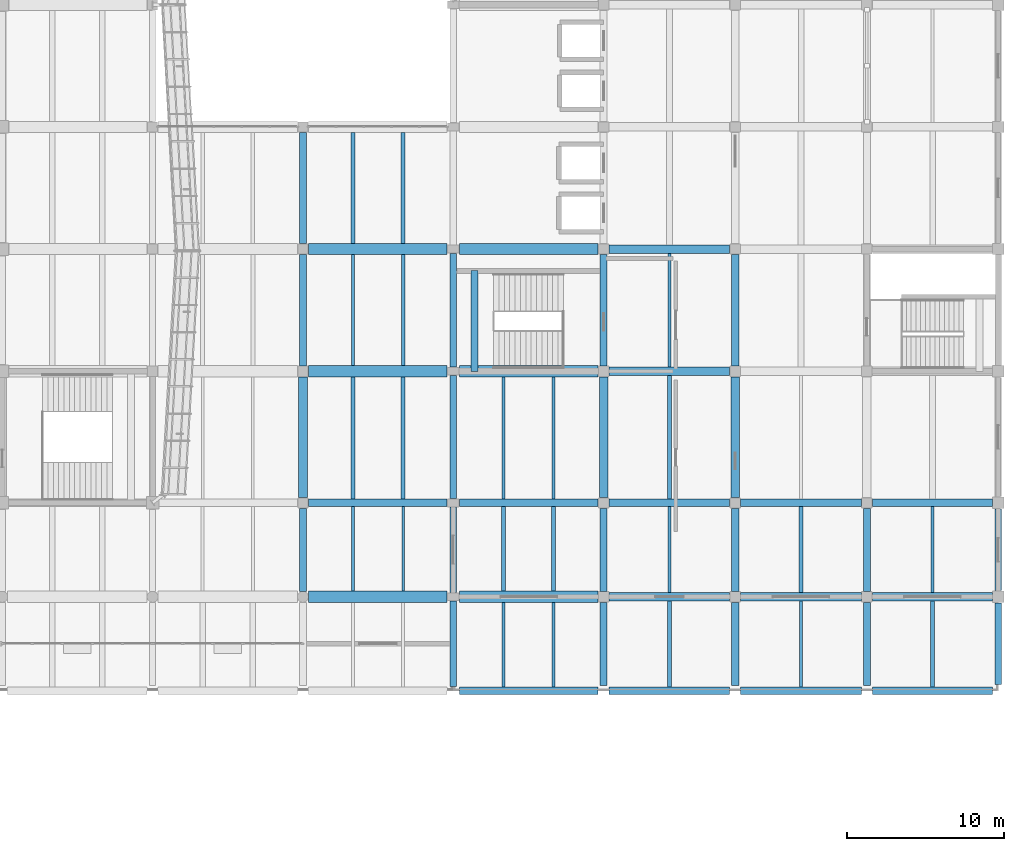
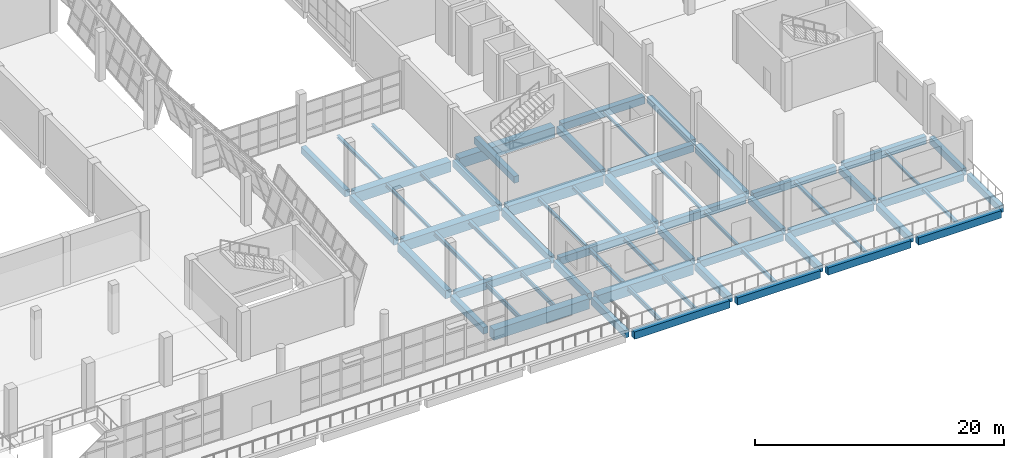
# One storey, part 34 of 79: 63 beams.
"""IFC4 building model written with IfcOpenShell, lengths in metres."""

from ifc_helpers import new_model, si_unit, direction, frame, origin, origin_2d, place, context, subcontext, project, spatial, rectangle, i_section, extrude, material, material_profile, profile_set, type_object, element, save


model = new_model("IFC4")

# Units and contexts
model_context = context("Model", 3, precision=1e-05, world=origin(), true_north=direction((0.0, 1.0)))
body_context = subcontext(model_context, "Body", "Model", "MODEL_VIEW")
ifc_project = project(units=[si_unit("LENGTHUNIT", "METRE"), si_unit("AREAUNIT", "SQUARE_METRE"), si_unit("VOLUMEUNIT", "CUBIC_METRE"), si_unit("PLANEANGLEUNIT", "RADIAN"), si_unit("MASSUNIT", "GRAM", prefix="KILO")], contexts=[model_context])

# Site, building, storey
site_placement = place(None, origin())
site = spatial("IfcSite", under=ifc_project, at=site_placement, CompositionType="ELEMENT")
building_placement = place(site_placement, origin())
building = spatial("IfcBuilding", under=site, at=building_placement, Name="Pellamere Symphony Hall", CompositionType="ELEMENT")
storey_placement = place(building_placement, frame((0.0, 0.0, 10.199951171875)))
storey = spatial("IfcBuildingStorey", under=building, at=storey_placement, Name="L02", CompositionType="ELEMENT", Elevation=10.199951171875)

# Beams
ifc_material_1 = material(Name="Concrete 40 MPa", Category="concrete")
ifc_material_profile_1 = material_profile(ifc_material_1, rectangle(XDim=0.550048828125, YDim=0.800048828125, at=origin_2d()), Name="RC 550x800")
ifc_profile_set_1 = profile_set([ifc_material_profile_1], Name="Concrete 40 MPa")
beam_type_1 = type_object("IfcBeamType", Name="RC CB-05 550x800", PredefinedType="BEAM", material=ifc_profile_set_1)
for number, where, z_axis, x_axis, name in (
    (1, (128.39990234375, 30.35009765625, -0.679931640625), (0.0, 1.0, 0.0), (-1.0, 0.0, 0.0), "Girder CB-05-Y1340 (L02)"),
    (2, (147.60009765625, 30.35009765625, -0.679931640625), (0.0, 1.0, 0.0), (-1.0, 0.0, 0.0), "Girder CB-05-Y1356 (L02)"),
    (3, (156.0, 30.35009765625, -0.679931640625), (0.0, 1.0, 0.0), (-1.0, 0.0, 0.0), "Girder CB-05-Y1367 (L02)"),
):
    element("IfcBeam", number, at=place(storey_placement, frame(where, z_axis=z_axis, x_axis=x_axis)), inside=storey, type_object=beam_type_1, Name=name, PredefinedType="BEAM", context=body_context, shape_type="SweptSolid", body=[
        extrude(rectangle(XDim=0.550048828125, YDim=0.800048828125, at=origin_2d()), origin(), (0.0, 0.0, 1.0), 7.699951171875),
    ])
ifc_material_profile_2 = material_profile(ifc_material_1, rectangle(XDim=0.449951171875, YDim=0.64990234375, at=origin_2d()), Name="RC 450x650")
ifc_profile_set_2 = profile_set([ifc_material_profile_2], Name="Concrete 40 MPa")
beam_type_2 = type_object("IfcBeamType", Name="RC CB-08 450x650", PredefinedType="BEAM", material=ifc_profile_set_2)
beam_1_placement = place(storey_placement, frame((128.39990234375, 24.35009765625, -0.60498046875), z_axis=(0.0, 1.0, 0.0), x_axis=(-1.0, 0.0, 0.0)))
element("IfcBeam", 4, at=beam_1_placement, inside=storey, type_object=beam_type_2, Name="Girder CB-08-Y1339 (L02)", PredefinedType="BEAM", context=body_context, shape_type="SweptSolid", body=[
    extrude(rectangle(XDim=0.449951171875, YDim=0.64990234375, at=origin_2d()), origin(), (0.0, 0.0, 1.0), 5.2998046875),
])
beam_2_placement = place(storey_placement, frame((128.39990234375, 38.75, -0.60498046875), z_axis=(0.0, 1.0, 0.0), x_axis=(-1.0, 0.0, 0.0)))
element("IfcBeam", 5, at=beam_2_placement, inside=storey, type_object=beam_type_2, Name="Girder CB-08-Y1341 (L02)", PredefinedType="BEAM", context=body_context, shape_type="SweptSolid", body=[
    extrude(rectangle(XDim=0.449951171875, YDim=0.64990234375, at=origin_2d()), origin(), (0.0, 0.0, 1.0), 7.10009765625),
])
beam_3_placement = place(storey_placement, frame((128.39990234375, 46.550048828125, -0.60498046875), z_axis=(0.0, 1.0, 0.0), x_axis=(-1.0, 0.0, 0.0)))
element("IfcBeam", 6, at=beam_3_placement, inside=storey, type_object=beam_type_2, Name="Girder CB-08-Y1342 (L02)", PredefinedType="BEAM", context=body_context, shape_type="SweptSolid", body=[
    extrude(rectangle(XDim=0.449951171875, YDim=0.64990234375, at=origin_2d()), origin(), (0.0, 0.0, 1.0), 7.099853515625),
])
for number, where, z_axis, x_axis, name in (
    (7, (147.60009765625, 18.35009765625, -0.60498046875), (0.0, 1.0, 0.0), (-1.0, 0.0, 0.0), "Girder CB-08-Y1354 (L02)"),
    (8, (147.60009765625, 24.35009765625, -0.60498046875), (0.0, 1.0, 0.0), (-1.0, 0.0, 0.0), "Girder CB-08-Y1355 (L02)"),
):
    element("IfcBeam", number, at=place(storey_placement, frame(where, z_axis=z_axis, x_axis=x_axis)), inside=storey, type_object=beam_type_2, Name=name, PredefinedType="BEAM", context=body_context, shape_type="SweptSolid", body=[
        extrude(rectangle(XDim=0.449951171875, YDim=0.64990234375, at=origin_2d()), origin(), (0.0, 0.0, 1.0), 5.2998046875),
    ])
beam_4_placement = place(storey_placement, frame((147.60009765625, 38.75, -0.60498046875), z_axis=(0.0, 1.0, 0.0), x_axis=(-1.0, 0.0, 0.0)))
element("IfcBeam", 9, at=beam_4_placement, inside=storey, type_object=beam_type_2, Name="Girder CB-08-Y1357 (L02)", PredefinedType="BEAM", context=body_context, shape_type="SweptSolid", body=[
    extrude(rectangle(XDim=0.449951171875, YDim=0.64990234375, at=origin_2d()), origin(), (0.0, 0.0, 1.0), 7.10009765625),
])
for number, where, z_axis, x_axis, name in (
    (10, (156.0, 18.35009765625, -0.60498046875), (0.0, 1.0, 0.0), (-1.0, 0.0, 0.0), "Girder CB-08-Y1365 (L02)"),
    (11, (156.0, 24.35009765625, -0.60498046875), (0.0, 1.0, 0.0), (-1.0, 0.0, 0.0), "Girder CB-08-Y1366 (L02)"),
):
    element("IfcBeam", number, at=place(storey_placement, frame(where, z_axis=z_axis, x_axis=x_axis)), inside=storey, type_object=beam_type_2, Name=name, PredefinedType="BEAM", context=body_context, shape_type="SweptSolid", body=[
        extrude(rectangle(XDim=0.449951171875, YDim=0.64990234375, at=origin_2d()), origin(), (0.0, 0.0, 1.0), 5.2998046875),
    ])
beam_5_placement = place(storey_placement, frame((156.0, 38.75, -0.60498046875), z_axis=(0.0, 1.0, 0.0), x_axis=(-1.0, 0.0, 0.0)))
element("IfcBeam", 12, at=beam_5_placement, inside=storey, type_object=beam_type_2, Name="Girder CB-08-Y1368 (L02)", PredefinedType="BEAM", context=body_context, shape_type="SweptSolid", body=[
    extrude(rectangle(XDim=0.449951171875, YDim=0.64990234375, at=origin_2d()), origin(), (0.0, 0.0, 1.0), 7.10009765625),
])
for number, where, z_axis, x_axis, name in (
    (13, (164.39990234375, 18.35009765625, -0.60498046875), (0.0, 1.0, 0.0), (-1.0, 0.0, 0.0), "Girder CB-08-Y1376 (L02)"),
    (14, (164.39990234375, 24.35009765625, -0.60498046875), (0.0, 1.0, 0.0), (-1.0, 0.0, 0.0), "Girder CB-08-Y1377 (L02)"),
):
    element("IfcBeam", number, at=place(storey_placement, frame(where, z_axis=z_axis, x_axis=x_axis)), inside=storey, type_object=beam_type_2, Name=name, PredefinedType="BEAM", context=body_context, shape_type="SweptSolid", body=[
        extrude(rectangle(XDim=0.449951171875, YDim=0.64990234375, at=origin_2d()), origin(), (0.0, 0.0, 1.0), 5.2998046875),
    ])
beam_6_placement = place(storey_placement, frame((139.367431640625, 38.3798828125, 1.85498046875), z_axis=(0.0, 1.0, 0.0), x_axis=(-1.0, 0.0, 0.0)))
element("IfcBeam", 15, at=beam_6_placement, inside=storey, type_object=beam_type_2, Name="Stair ST02-L02 Half Landing Support Beam (L02)", PredefinedType="BEAM", context=body_context, shape_type="SweptSolid", body=[
    extrude(rectangle(XDim=0.449951171875, YDim=0.64990234375, at=origin_2d()), origin(), (0.0, 0.0, 1.0), 6.440185546875),
])
ifc_material_profile_3 = material_profile(ifc_material_1, rectangle(XDim=0.39990234375, YDim=0.699951171875, at=origin_2d()), Name="RC 400x700")
ifc_profile_set_3 = profile_set([ifc_material_profile_3], Name="Concrete 40 MPa")
beam_type_3 = type_object("IfcBeamType", Name="RC CB-13 400x700", PredefinedType="SPANDREL", material=ifc_profile_set_3)
for number, where, z_axis, x_axis, name in (
    (16, (138.0, 18.27490234375, -0.6298828125), (0.0, 1.0, 0.0), (-1.0, 0.0, 0.0), "Girder CB-13-Y1343 (L02)"),
    (17, (138.0, 24.27490234375, -0.6298828125), (0.0, 1.0, 0.0), (-1.0, 0.0, 0.0), "Girder CB-13-Y1344 (L02)"),
):
    element("IfcBeam", number, at=place(storey_placement, frame(where, z_axis=z_axis, x_axis=x_axis)), inside=storey, type_object=beam_type_3, Name=name, PredefinedType="SPANDREL", context=body_context, shape_type="SweptSolid", body=[
        extrude(rectangle(XDim=0.39990234375, YDim=0.699951171875, at=origin_2d()), origin(), (0.0, 0.0, 1.0), 5.4501953125),
    ])
beam_7_placement = place(storey_placement, frame((138.0, 30.27490234375, -0.6298828125), z_axis=(0.0, 1.0, 0.0), x_axis=(-1.0, 0.0, 0.0)))
element("IfcBeam", 18, at=beam_7_placement, inside=storey, type_object=beam_type_3, Name="Girder CB-13-Y1345 (L02)", PredefinedType="SPANDREL", context=body_context, shape_type="SweptSolid", body=[
    extrude(rectangle(XDim=0.39990234375, YDim=0.699951171875, at=origin_2d()), origin(), (0.0, 0.0, 1.0), 7.85009765625),
])
beam_8_placement = place(storey_placement, frame((138.0, 38.675048828125, -0.6298828125), z_axis=(0.0, 1.0, 0.0), x_axis=(-1.0, 0.0, 0.0)))
element("IfcBeam", 19, at=beam_8_placement, inside=storey, type_object=beam_type_3, Name="Girder CB-13-Y1346 (L02)", PredefinedType="SPANDREL", context=body_context, shape_type="SweptSolid", body=[
    extrude(rectangle(XDim=0.39990234375, YDim=0.699951171875, at=origin_2d()), origin(), (0.0, 0.0, 1.0), 7.25),
])
for number, where, z_axis, x_axis, name in (
    (20, (172.800048828125, 18.389892578125, -0.6298828125), (0.0, 1.0, 0.0), (-1.0, 0.0, 0.0), "Girder CB-13-Y1387 (L02)"),
    (21, (172.800048828125, 24.389892578125, -0.6298828125), (0.0, 1.0, 0.0), (-1.0, 0.0, 0.0), "Girder CB-13-Y1388 (L02)"),
):
    element("IfcBeam", number, at=place(storey_placement, frame(where, z_axis=z_axis, x_axis=x_axis)), inside=storey, type_object=beam_type_3, Name=name, PredefinedType="SPANDREL", context=body_context, shape_type="SweptSolid", body=[
        extrude(rectangle(XDim=0.39990234375, YDim=0.699951171875, at=origin_2d()), origin(), (0.0, 0.0, 1.0), 5.22021484375),
    ])
ifc_material_profile_4 = material_profile(ifc_material_1, rectangle(XDim=0.47998046875, YDim=0.719970703125, at=origin_2d()), Name="RC 480x720")
ifc_profile_set_4 = profile_set([ifc_material_profile_4], Name="Concrete 40 MPa")
beam_type_4 = type_object("IfcBeamType", Name="RC CB-14 480x720", PredefinedType="SPANDREL", material=ifc_profile_set_4)
beam_9_placement = place(storey_placement, frame((138.39990234375, 18.0, -0.639892578125), z_axis=(1.0, 0.0, 0.0), x_axis=(0.0, 1.0, 0.0)))
element("IfcBeam", 22, at=beam_9_placement, inside=storey, type_object=beam_type_4, Name="Girder CB-14-X1052 (L02)", PredefinedType="SPANDREL", context=body_context, shape_type="SweptSolid", body=[
    extrude(rectangle(XDim=0.47998046875, YDim=0.719970703125, at=origin_2d()), origin(), (0.0, 0.0, 1.0), 8.85009765625),
])
for number, where, z_axis, x_axis, name in (
    (23, (147.949951171875, 18.0, -0.639892578125), (1.0, 0.0, 0.0), (0.0, 1.0, 0.0), "Girder CB-14-X1053 (L02)"),
    (24, (156.35009765625, 18.0, -0.639892578125), (1.0, 0.0, 0.0), (0.0, 1.0, 0.0), "Girder CB-14-X1054 (L02)"),
):
    element("IfcBeam", number, at=place(storey_placement, frame(where, z_axis=z_axis, x_axis=x_axis)), inside=storey, type_object=beam_type_4, Name=name, PredefinedType="SPANDREL", context=body_context, shape_type="SweptSolid", body=[
        extrude(rectangle(XDim=0.47998046875, YDim=0.719970703125, at=origin_2d()), origin(), (0.0, 0.0, 1.0), 7.699951171875),
    ])
beam_10_placement = place(storey_placement, frame((164.75, 18.0, -0.639892578125), z_axis=(1.0, 0.0, 0.0), x_axis=(0.0, 1.0, 0.0)))
element("IfcBeam", 25, at=beam_10_placement, inside=storey, type_object=beam_type_4, Name="Girder CB-14-X1055 (L02)", PredefinedType="SPANDREL", context=body_context, shape_type="SweptSolid", body=[
    extrude(rectangle(XDim=0.47998046875, YDim=0.719970703125, at=origin_2d()), origin(), (0.0, 0.0, 1.0), 7.659912109375),
])
for number, where, z_axis, x_axis, name in (
    (26, (128.75, 30.0, -0.639892578125), (1.0, 0.0, 0.0), (0.0, 1.0, 0.0), "Girder CB-14-X1084 (L02)"),
    (27, (138.39990234375, 30.0, -0.639892578125), (1.0, 0.0, 0.0), (0.0, 1.0, 0.0), "Girder CB-14-X1085 (L02)"),
):
    element("IfcBeam", number, at=place(storey_placement, frame(where, z_axis=z_axis, x_axis=x_axis)), inside=storey, type_object=beam_type_4, Name=name, PredefinedType="SPANDREL", context=body_context, shape_type="SweptSolid", body=[
        extrude(rectangle(XDim=0.47998046875, YDim=0.719970703125, at=origin_2d()), origin(), (0.0, 0.0, 1.0), 8.85009765625),
    ])
for number, where, z_axis, x_axis, name in (
    (28, (147.949951171875, 30.0, -0.639892578125), (1.0, 0.0, 0.0), (0.0, 1.0, 0.0), "Girder CB-14-X1086 (L02)"),
    (29, (156.35009765625, 30.0, -0.639892578125), (1.0, 0.0, 0.0), (0.0, 1.0, 0.0), "Girder CB-14-X1087 (L02)"),
):
    element("IfcBeam", number, at=place(storey_placement, frame(where, z_axis=z_axis, x_axis=x_axis)), inside=storey, type_object=beam_type_4, Name=name, PredefinedType="SPANDREL", context=body_context, shape_type="SweptSolid", body=[
        extrude(rectangle(XDim=0.47998046875, YDim=0.719970703125, at=origin_2d()), origin(), (0.0, 0.0, 1.0), 7.699951171875),
    ])
beam_11_placement = place(storey_placement, frame((164.75, 30.0, -0.639892578125), z_axis=(1.0, 0.0, 0.0), x_axis=(0.0, 1.0, 0.0)))
element("IfcBeam", 30, at=beam_11_placement, inside=storey, type_object=beam_type_4, Name="Girder CB-14-X1088 (L02)", PredefinedType="SPANDREL", context=body_context, shape_type="SweptSolid", body=[
    extrude(rectangle(XDim=0.47998046875, YDim=0.719970703125, at=origin_2d()), origin(), (0.0, 0.0, 1.0), 7.659912109375),
])
ifc_material_profile_5 = material_profile(ifc_material_1, rectangle(XDim=0.719970703125, YDim=1.02001953125, at=origin_2d()), Name="RC 720x1020")
ifc_profile_set_5 = profile_set([ifc_material_profile_5], Name="Concrete 40 MPa")
beam_type_5 = type_object("IfcBeamType", Name="RC CB-23 720x1020", PredefinedType="BEAM", material=ifc_profile_set_5)
for number, where, z_axis, x_axis, name in (
    (31, (128.75, 24.0, -0.7900390625), (1.0, 0.0, 0.0), (0.0, 1.0, 0.0), "Girder CB-23-X1066 (L02)"),
    (32, (138.39990234375, 24.0, -0.7900390625), (1.0, 0.0, 0.0), (0.0, 1.0, 0.0), "Girder CB-23-X1067 (L02)"),
    (33, (128.75, 38.39990234375, -0.7900390625), (1.0, 0.0, 0.0), (0.0, 1.0, 0.0), "Girder CB-23-X1104 (L02)"),
    (34, (138.39990234375, 38.39990234375, -0.7900390625), (1.0, 0.0, 0.0), (0.0, 1.0, 0.0), "Girder CB-23-X1105 (L02)"),
    (35, (128.75, 46.199951171875, -0.7900390625), (1.0, 0.0, 0.0), (0.0, 1.0, 0.0), "Girder CB-23-X1124 (L02)"),
    (36, (138.39990234375, 46.199951171875, -0.7900390625), (1.0, 0.0, 0.0), (0.0, 1.0, 0.0), "Girder CB-23-X1125 (L02)"),
):
    element("IfcBeam", number, at=place(storey_placement, frame(where, z_axis=z_axis, x_axis=x_axis)), inside=storey, type_object=beam_type_5, Name=name, PredefinedType="BEAM", context=body_context, shape_type="SweptSolid", body=[
        extrude(rectangle(XDim=0.719970703125, YDim=1.02001953125, at=origin_2d()), origin(), (0.0, 0.0, 1.0), 8.85009765625),
    ])
ifc_material_profile_6 = material_profile(ifc_material_1, rectangle(XDim=0.5400390625, YDim=0.719970703125, at=origin_2d()), Name="RC 540x720")
ifc_profile_set_6 = profile_set([ifc_material_profile_6], Name="Concrete 40 MPa")
beam_type_6 = type_object("IfcBeamType", Name="RC CB-24 540x720", PredefinedType="BEAM", material=ifc_profile_set_6)
for number, where, z_axis, x_axis, name in (
    (37, (147.949951171875, 24.0, -0.639892578125), (1.0, 0.0, 0.0), (0.0, 1.0, 0.0), "Girder CB-24-X1068 (L02)"),
    (38, (156.35009765625, 24.0, -0.639892578125), (1.0, 0.0, 0.0), (0.0, 1.0, 0.0), "Girder CB-24-X1069 (L02)"),
):
    element("IfcBeam", number, at=place(storey_placement, frame(where, z_axis=z_axis, x_axis=x_axis)), inside=storey, type_object=beam_type_6, Name=name, PredefinedType="BEAM", context=body_context, shape_type="SweptSolid", body=[
        extrude(rectangle(XDim=0.5400390625, YDim=0.719970703125, at=origin_2d()), origin(), (0.0, 0.0, 1.0), 7.699951171875),
    ])
beam_12_placement = place(storey_placement, frame((164.75, 24.0, -0.639892578125), z_axis=(1.0, 0.0, 0.0), x_axis=(0.0, 1.0, 0.0)))
element("IfcBeam", 39, at=beam_12_placement, inside=storey, type_object=beam_type_6, Name="Girder CB-24-X1070 (L02)", PredefinedType="BEAM", context=body_context, shape_type="SweptSolid", body=[
    extrude(rectangle(XDim=0.5400390625, YDim=0.719970703125, at=origin_2d()), origin(), (0.0, 0.0, 1.0), 7.659912109375),
])
for number, where, z_axis, x_axis, name in (
    (40, (147.949951171875, 38.39990234375, -0.639892578125), (1.0, 0.0, 0.0), (0.0, 1.0, 0.0), "Girder CB-24-X1106 (L02)"),
    (41, (147.949951171875, 46.199951171875, -0.639892578125), (1.0, 0.0, 0.0), (0.0, 1.0, 0.0), "Girder CB-24-X1126 (L02)"),
):
    element("IfcBeam", number, at=place(storey_placement, frame(where, z_axis=z_axis, x_axis=x_axis)), inside=storey, type_object=beam_type_6, Name=name, PredefinedType="BEAM", context=body_context, shape_type="SweptSolid", body=[
        extrude(rectangle(XDim=0.5400390625, YDim=0.719970703125, at=origin_2d()), origin(), (0.0, 0.0, 1.0), 7.699951171875),
    ])
ifc_material_2 = material(Name="Steel CSA G40.21 350W", Category="steel")
ifc_material_profile_7 = material_profile(ifc_material_2, i_section(OverallWidth=0.179931640625, OverallDepth=0.4130859375, WebThickness=0.009765625, FlangeThickness=0.01513671875, at=origin_2d()), Name="W410X74")
ifc_profile_set_7 = profile_set([ifc_material_profile_7], Name="Steel CSA G40.21 350W")
beam_type_7 = type_object("IfcBeamType", Name="Steel Joist SB-19 W410X74", PredefinedType="JOIST", material=ifc_profile_set_7)
for number, where, z_axis, x_axis, name in (
    (42, (131.60009765625, 24.360107421875, -0.50146484375), (0.0, 1.0, 0.0), (-1.0, 0.0, 0.0), "Secondary Floor Beam SB-19-A1603 (L02)"),
    (43, (134.800048828125, 24.360107421875, -0.50146484375), (0.0, 1.0, 0.0), (-1.0, 0.0, 0.0), "Secondary Floor Beam SB-19-B1603 (L02)"),
    (44, (141.199951171875, 18.239990234375, -0.50146484375), (0.0, 1.0, 0.0), (-1.0, 0.0, 0.0), "Secondary Floor Beam SB-19-A1702 (L02)"),
    (45, (144.39990234375, 18.239990234375, -0.50146484375), (0.0, 1.0, 0.0), (-1.0, 0.0, 0.0), "Secondary Floor Beam SB-19-B1702 (L02)"),
):
    element("IfcBeam", number, at=place(storey_placement, frame(where, z_axis=z_axis, x_axis=x_axis)), inside=storey, type_object=beam_type_7, Name=name, PredefinedType="JOIST", context=body_context, shape_type="SweptSolid", body=[
        extrude(i_section(OverallWidth=0.179931640625, OverallDepth=0.4130859375, WebThickness=0.009765625, FlangeThickness=0.01513671875, at=origin_2d()), origin(), (0.0, 0.0, 1.0), 5.39990234375),
    ])
ifc_material_profile_8 = material_profile(ifc_material_2, i_section(OverallWidth=0.25390625, OverallDepth=0.35302734375, WebThickness=0.009521484375, FlangeThickness=0.016357421875, at=origin_2d()), Name="W360X91")
ifc_profile_set_8 = profile_set([ifc_material_profile_8], Name="Steel CSA G40.21 350W")
beam_type_8 = type_object("IfcBeamType", Name="Steel Joist SB-20 W360X91", PredefinedType="JOIST", material=ifc_profile_set_8)
for number, where, z_axis, x_axis, name in (
    (46, (131.60009765625, 30.239990234375, -0.471435546875), (0.0, 1.0, 0.0), (-1.0, 0.0, 0.0), "Secondary Floor Beam SB-20-A1604 (L02)"),
    (47, (134.800048828125, 30.239990234375, -0.471435546875), (0.0, 1.0, 0.0), (-1.0, 0.0, 0.0), "Secondary Floor Beam SB-20-B1604 (L02)"),
):
    element("IfcBeam", number, at=place(storey_placement, frame(where, z_axis=z_axis, x_axis=x_axis)), inside=storey, type_object=beam_type_8, Name=name, PredefinedType="JOIST", context=body_context, shape_type="SweptSolid", body=[
        extrude(i_section(OverallWidth=0.25390625, OverallDepth=0.35302734375, WebThickness=0.009521484375, FlangeThickness=0.016357421875, at=origin_2d()), origin(), (0.0, 0.0, 1.0), 7.800048828125),
    ])
for number, where, z_axis, x_axis, name in (
    (48, (141.199951171875, 24.360107421875, -0.471435546875), (0.0, 1.0, 0.0), (-1.0, 0.0, 0.0), "Secondary Floor Beam SB-20-A1703 (L02)"),
    (49, (144.39990234375, 24.360107421875, -0.471435546875), (0.0, 1.0, 0.0), (-1.0, 0.0, 0.0), "Secondary Floor Beam SB-20-B1703 (L02)"),
):
    element("IfcBeam", number, at=place(storey_placement, frame(where, z_axis=z_axis, x_axis=x_axis)), inside=storey, type_object=beam_type_8, Name=name, PredefinedType="JOIST", context=body_context, shape_type="SweptSolid", body=[
        extrude(i_section(OverallWidth=0.25390625, OverallDepth=0.35302734375, WebThickness=0.009521484375, FlangeThickness=0.016357421875, at=origin_2d()), origin(), (0.0, 0.0, 1.0), 5.39990234375),
    ])
beam_13_placement = place(storey_placement, frame((151.800048828125, 18.239990234375, -0.471435546875), z_axis=(0.0, 1.0, 0.0), x_axis=(-1.0, 0.0, 0.0)))
element("IfcBeam", 50, at=beam_13_placement, inside=storey, type_object=beam_type_8, Name="Secondary Floor Beam SB-20-M1802 (L02)", PredefinedType="JOIST", context=body_context, shape_type="SweptSolid", body=[
    extrude(i_section(OverallWidth=0.25390625, OverallDepth=0.35302734375, WebThickness=0.009521484375, FlangeThickness=0.016357421875, at=origin_2d()), origin(), (0.0, 0.0, 1.0), 5.489990234375),
])
ifc_material_profile_9 = material_profile(ifc_material_2, i_section(OverallWidth=0.202880859375, OverallDepth=0.302978515625, WebThickness=0.007568359375, FlangeThickness=0.01318359375, at=origin_2d()), Name="W310X60")
ifc_profile_set_9 = profile_set([ifc_material_profile_9], Name="Steel CSA G40.21 350W")
beam_type_9 = type_object("IfcBeamType", Name="Steel Joist SB-23 W310X60", PredefinedType="JOIST", material=ifc_profile_set_9)
for number, where, z_axis, x_axis, name in (
    (51, (131.60009765625, 38.760009765625, -0.446533203125), (0.0, 1.0, 0.0), (-1.0, 0.0, 0.0), "Secondary Floor Beam SB-23-A1605 (L02)"),
    (52, (134.800048828125, 38.760009765625, -0.446533203125), (0.0, 1.0, 0.0), (-1.0, 0.0, 0.0), "Secondary Floor Beam SB-23-B1605 (L02)"),
):
    element("IfcBeam", number, at=place(storey_placement, frame(where, z_axis=z_axis, x_axis=x_axis)), inside=storey, type_object=beam_type_9, Name=name, PredefinedType="JOIST", context=body_context, shape_type="SweptSolid", body=[
        extrude(i_section(OverallWidth=0.202880859375, OverallDepth=0.302978515625, WebThickness=0.007568359375, FlangeThickness=0.01318359375, at=origin_2d()), origin(), (0.0, 0.0, 1.0), 7.080078125),
    ])
for number, where, z_axis, x_axis, name in (
    (53, (141.199951171875, 30.239990234375, -0.446533203125), (0.0, 1.0, 0.0), (-1.0, 0.0, 0.0), "Secondary Floor Beam SB-23-A1704 (L02)"),
    (54, (144.39990234375, 30.239990234375, -0.446533203125), (0.0, 1.0, 0.0), (-1.0, 0.0, 0.0), "Secondary Floor Beam SB-23-B1704 (L02)"),
):
    element("IfcBeam", number, at=place(storey_placement, frame(where, z_axis=z_axis, x_axis=x_axis)), inside=storey, type_object=beam_type_9, Name=name, PredefinedType="JOIST", context=body_context, shape_type="SweptSolid", body=[
        extrude(i_section(OverallWidth=0.202880859375, OverallDepth=0.302978515625, WebThickness=0.007568359375, FlangeThickness=0.01318359375, at=origin_2d()), origin(), (0.0, 0.0, 1.0), 7.800048828125),
    ])
for number, where, z_axis, x_axis, name in (
    (55, (151.800048828125, 24.27001953125, -0.446533203125), (0.0, 1.0, 0.0), (-1.0, 0.0, 0.0), "Secondary Floor Beam SB-23-M1803 (L02)"),
    (56, (160.199951171875, 18.239990234375, -0.446533203125), (0.0, 1.0, 0.0), (-1.0, 0.0, 0.0), "Secondary Floor Beam SB-23-M1902 (L02)"),
):
    element("IfcBeam", number, at=place(storey_placement, frame(where, z_axis=z_axis, x_axis=x_axis)), inside=storey, type_object=beam_type_9, Name=name, PredefinedType="JOIST", context=body_context, shape_type="SweptSolid", body=[
        extrude(i_section(OverallWidth=0.202880859375, OverallDepth=0.302978515625, WebThickness=0.007568359375, FlangeThickness=0.01318359375, at=origin_2d()), origin(), (0.0, 0.0, 1.0), 5.489990234375),
    ])
ifc_material_profile_10 = material_profile(ifc_material_2, i_section(OverallWidth=0.25390625, OverallDepth=0.2529296875, WebThickness=0.008544921875, FlangeThickness=0.01416015625, at=origin_2d()), Name="W250X73")
ifc_profile_set_10 = profile_set([ifc_material_profile_10], Name="Steel CSA G40.21 350W")
beam_type_10 = type_object("IfcBeamType", Name="Steel Joist SB-24 W250X73", PredefinedType="JOIST", material=ifc_profile_set_10)
for number, where, z_axis, x_axis, name in (
    (57, (131.60009765625, 46.56005859375, -0.42138671875), (0.0, 1.0, 0.0), (-1.0, 0.0, 0.0), "Secondary Floor Beam SB-24-A1606 (L02)"),
    (58, (134.800048828125, 46.56005859375, -0.42138671875), (0.0, 1.0, 0.0), (-1.0, 0.0, 0.0), "Secondary Floor Beam SB-24-B1606 (L02)"),
):
    element("IfcBeam", number, at=place(storey_placement, frame(where, z_axis=z_axis, x_axis=x_axis)), inside=storey, type_object=beam_type_10, Name=name, PredefinedType="JOIST", context=body_context, shape_type="SweptSolid", body=[
        extrude(i_section(OverallWidth=0.25390625, OverallDepth=0.2529296875, WebThickness=0.008544921875, FlangeThickness=0.01416015625, at=origin_2d()), origin(), (0.0, 0.0, 1.0), 7.079833984375),
    ])
beam_14_placement = place(storey_placement, frame((151.800048828125, 30.239990234375, -0.42138671875), z_axis=(0.0, 1.0, 0.0), x_axis=(-1.0, 0.0, 0.0)))
element("IfcBeam", 59, at=beam_14_placement, inside=storey, type_object=beam_type_10, Name="Secondary Floor Beam SB-24-M1804 (L02)", PredefinedType="JOIST", context=body_context, shape_type="SweptSolid", body=[
    extrude(i_section(OverallWidth=0.25390625, OverallDepth=0.2529296875, WebThickness=0.008544921875, FlangeThickness=0.01416015625, at=origin_2d()), origin(), (0.0, 0.0, 1.0), 7.889892578125),
])
for number, where, z_axis, x_axis, name in (
    (60, (160.199951171875, 24.27001953125, -0.42138671875), (0.0, 1.0, 0.0), (-1.0, 0.0, 0.0), "Secondary Floor Beam SB-24-M1903 (L02)"),
    (61, (168.60009765625, 18.239990234375, -0.42138671875), (0.0, 1.0, 0.0), (-1.0, 0.0, 0.0), "Secondary Floor Beam SB-24-M2002 (L02)"),
):
    element("IfcBeam", number, at=place(storey_placement, frame(where, z_axis=z_axis, x_axis=x_axis)), inside=storey, type_object=beam_type_10, Name=name, PredefinedType="JOIST", context=body_context, shape_type="SweptSolid", body=[
        extrude(i_section(OverallWidth=0.25390625, OverallDepth=0.2529296875, WebThickness=0.008544921875, FlangeThickness=0.01416015625, at=origin_2d()), origin(), (0.0, 0.0, 1.0), 5.489990234375),
    ])
ifc_material_profile_11 = material_profile(ifc_material_2, i_section(OverallWidth=0.201904296875, OverallDepth=0.2470703125, WebThickness=0.00732421875, FlangeThickness=0.010986328125, at=origin_2d()), Name="W250X49")
ifc_profile_set_11 = profile_set([ifc_material_profile_11], Name="Steel CSA G40.21 350W")
beam_type_11 = type_object("IfcBeamType", Name="Steel Joist SB-25 W250X49", PredefinedType="JOIST", material=ifc_profile_set_11)
beam_15_placement = place(storey_placement, frame((151.800048828125, 38.669921875, -0.41845703125), z_axis=(0.0, 1.0, 0.0), x_axis=(-1.0, 0.0, 0.0)))
element("IfcBeam", 62, at=beam_15_placement, inside=storey, type_object=beam_type_11, Name="Secondary Floor Beam SB-25-M1805 (L02)", PredefinedType="JOIST", context=body_context, shape_type="SweptSolid", body=[
    extrude(i_section(OverallWidth=0.201904296875, OverallDepth=0.2470703125, WebThickness=0.00732421875, FlangeThickness=0.010986328125, at=origin_2d()), origin(), (0.0, 0.0, 1.0), 7.260009765625),
])
beam_16_placement = place(storey_placement, frame((168.60009765625, 24.27001953125, -0.41845703125), z_axis=(0.0, 1.0, 0.0), x_axis=(-1.0, 0.0, 0.0)))
element("IfcBeam", 63, at=beam_16_placement, inside=storey, type_object=beam_type_11, Name="Secondary Floor Beam SB-25-M2003 (L02)", PredefinedType="JOIST", context=body_context, shape_type="SweptSolid", body=[
    extrude(i_section(OverallWidth=0.201904296875, OverallDepth=0.2470703125, WebThickness=0.00732421875, FlangeThickness=0.010986328125, at=origin_2d()), origin(), (0.0, 0.0, 1.0), 5.489990234375),
])

save(model, "model.ifc")
